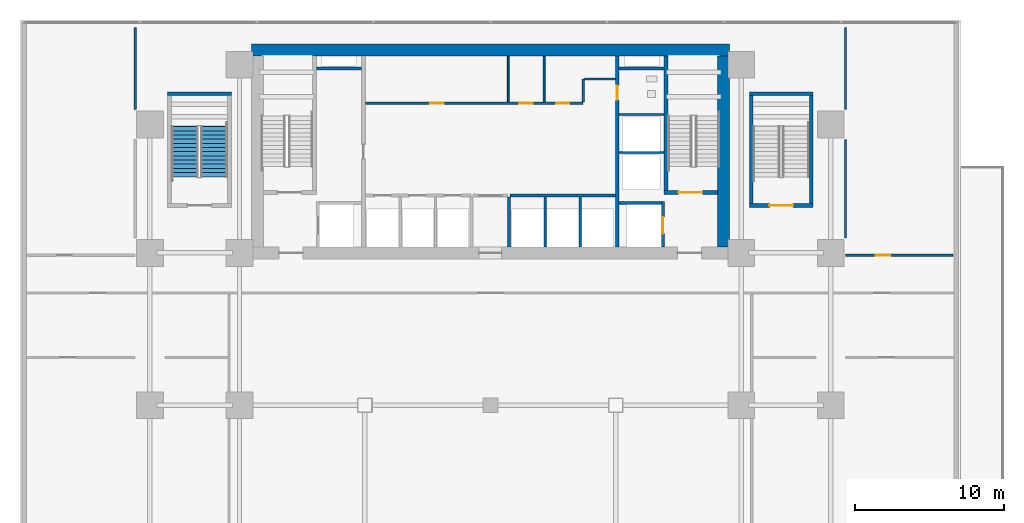
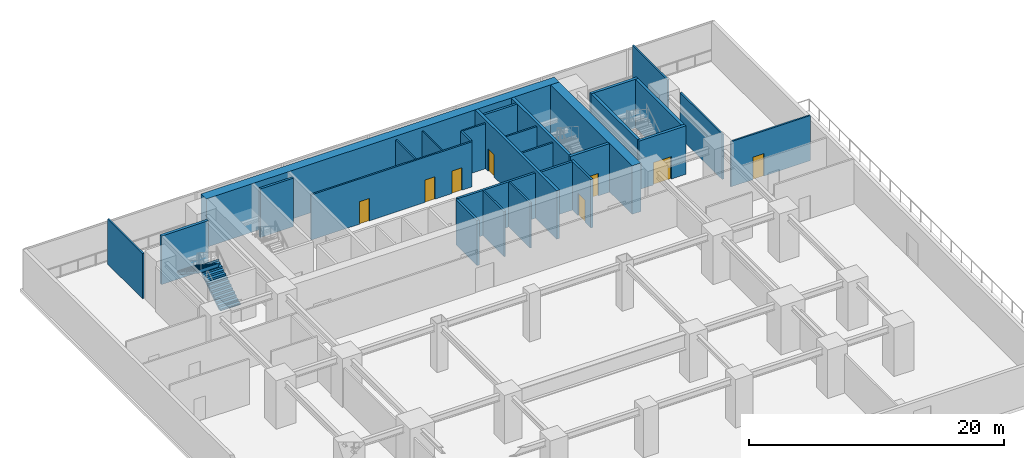
# One storey, part 9 of 15: 29 walls, 8 doors, 2 stair flights, 8 openings, 1 element without a shape of its own.
"""IFC4 building model written with IfcOpenShell, lengths in metres."""

from ifc_helpers import new_model, si_unit, direction, frame, frame_2d, origin, place, context, subcontext, project, spatial, polyline, rectangle, outline, extrude, source, transform, mapped, material, layer, layer_set, type_object, element, fill, aggregate, save


model = new_model("IFC4")

# Units and contexts
model_context = context("Model", 3, precision=1e-05, world=origin(), true_north=direction((0.0, 1.0)))
body_context = subcontext(model_context, "Body", "Model", "MODEL_VIEW")
ifc_project = project(units=[si_unit("LENGTHUNIT", "METRE"), si_unit("AREAUNIT", "SQUARE_METRE"), si_unit("VOLUMEUNIT", "CUBIC_METRE"), si_unit("PLANEANGLEUNIT", "RADIAN"), si_unit("MASSUNIT", "GRAM", prefix="KILO")], contexts=[model_context])

# Site, building, storey
site_placement = place(None, origin())
site = spatial("IfcSite", under=ifc_project, at=site_placement, CompositionType="ELEMENT")
building_placement = place(site_placement, origin())
building = spatial("IfcBuilding", under=site, at=building_placement, Name="Sumidabori Civic Tower", CompositionType="ELEMENT")
storey_placement = place(building_placement, frame((0.0, 0.0, 14.300048828125)))
storey = spatial("IfcBuildingStorey", under=building, at=storey_placement, Name="L03", CompositionType="ELEMENT", Elevation=14.300048828125)

# Walls
ifc_material_1 = material(Name="Concrete C60/75", Category="concrete")
ifc_layer_1 = layer(ifc_material_1, 0.800048828125, Name="Concrete C60/75")
ifc_layer_set_1 = layer_set([ifc_layer_1], Name="Concrete C60/75")
wall_type_1 = type_object("IfcWallType", Name="WL-CORE-800", PredefinedType="SHEAR", material=ifc_layer_set_1)
shared_shape_1 = source(origin(), body_context, "Body", "SweptSolid", [
    extrude(rectangle(XDim=32.0, YDim=0.800048828125, at=frame_2d((16.0, 0.0))), origin(), (0.0, 0.0, 1.0), 4.64990234375),
])
wall_1_placement = place(storey_placement, frame((-16.0, 23.800048828125, 0.0), z_axis=(0.0, 0.0, 1.0), x_axis=(1.0, 0.0, 0.0)))
element("IfcWall", 1, at=wall_1_placement, inside=storey, type_object=wall_type_1, Name="Core Shear Wall L03 N", PredefinedType="SHEAR", context=body_context, shape_type="MappedRepresentation", body=[
    mapped(shared_shape_1, transform((0.0, 0.0, 0.0), x_axis=(1.0, 0.0, 0.0), y_axis=(0.0, 1.0, 0.0), z_axis=(0.0, 0.0, 1.0), scale=1.0)),
])
shared_shape_2 = source(origin(), body_context, "Body", "SweptSolid", [
    extrude(rectangle(XDim=12.7998046875, YDim=0.800048828125, at=frame_2d((6.39990234375, 0.0))), origin(), (0.0, 0.0, 1.0), 4.64990234375),
])
wall_2_placement = place(storey_placement, frame((15.60009765625, 10.60009765625, 0.0), z_axis=(0.0, 0.0, 1.0), x_axis=(0.0, 1.0, 0.0)))
element("IfcWall", 2, at=wall_2_placement, inside=storey, type_object=wall_type_1, Name="Core Shear Wall L03 E", PredefinedType="SHEAR", context=body_context, shape_type="MappedRepresentation", body=[
    mapped(shared_shape_2, transform((0.0, 0.0, 0.0), x_axis=(1.0, 0.0, 0.0), y_axis=(0.0, 1.0, 0.0), z_axis=(0.0, 0.0, 1.0), scale=1.0)),
])

# Wall, opening, door
ifc_material_2 = material(Name="Concrete C50/60", Category="concrete")
ifc_layer_2 = layer(ifc_material_2, 0.25, Name="Concrete C50/60")
ifc_layer_set_2 = layer_set([ifc_layer_2], Name="Concrete C50/60")
wall_type_2 = type_object("IfcWallType", Name="WL-SHAFT-250", PredefinedType="SHEAR", material=ifc_layer_set_2)
shared_shape_3 = source(origin(), body_context, "Body", "SweptSolid", [
    extrude(rectangle(XDim=12.7998046875, YDim=0.25, at=frame_2d((6.39990234375, 0.0))), origin(), (0.0, 0.0, 1.0), 4.64990234375),
])
wall_3_placement = place(storey_placement, frame((8.5, 10.60009765625, 0.0), z_axis=(0.0, 0.0, 1.0), x_axis=(0.0, 1.0, 0.0)))
wall_3 = element("IfcWall", 3, at=wall_3_placement, inside=storey, type_object=wall_type_2, Name="Core Shear Wall L03 WEB-E", PredefinedType="SHEAR", context=body_context, shape_type="MappedRepresentation", body=[
    mapped(shared_shape_3, transform((0.0, 0.0, 0.0), x_axis=(1.0, 0.0, 0.0), y_axis=(0.0, 1.0, 0.0), z_axis=(0.0, 0.0, 1.0), scale=1.0)),
])
opening_1_placement = place(wall_3_placement, frame((9.85009765625, 0.0, 0.0)))
opening_1 = element("IfcOpeningElement", 4, at=opening_1_placement, cuts=wall_3, Name="Opening DR-2", PredefinedType="OPENING", context=body_context, shape_type="SweptSolid", body=[
    extrude(rectangle(XDim=0.949951171875, YDim=2.14990234375, at=frame_2d((0.47509765625, 1.074951171875))), frame((0.0, 0.136962890625, 0.0), z_axis=(0.0, -1.0, 0.0), x_axis=(1.0, 0.0, 0.0)), (0.0, 0.0, 1.0), 0.27392578125),
])
ifc_material_3 = material(Name="Japanese Hinoki Timber", Category="wood")
door_type_1 = type_object("IfcDoorType", Name="DR-INT-950", OperationType="NOTDEFINED", PredefinedType="DOOR", material=ifc_material_3)
shared_shape_4 = source(origin(), body_context, "Body", "SweptSolid", [
    extrude(rectangle(XDim=0.949951171875, YDim=2.14990234375, at=frame_2d((0.47509765625, 1.074951171875))), frame((0.0, 0.02490234375, 0.0), z_axis=(0.0, -1.0, 0.0), x_axis=(1.0, 0.0, 0.0)), (0.0, 0.0, 1.0), 0.050048828125),
])
door_1_placement = place(opening_1_placement, origin())
door_1 = element("IfcDoor", 5, at=door_1_placement, inside=storey, type_object=door_type_1, Name="Door DR:L03:WC-ACC", OperationType="SINGLE_SWING_RIGHT", OverallHeight=2.14990234375, OverallWidth=0.949951171875, PredefinedType="DOOR", context=body_context, shape_type="MappedRepresentation", body=[
    mapped(shared_shape_4, transform((0.0, 0.0, 0.0), x_axis=(1.0, 0.0, 0.0), y_axis=(0.0, 1.0, 0.0), z_axis=(0.0, 0.0, 1.0), scale=1.0)),
])
fill(opening_1, door_1)

shared_shape_5 = source(origin(), body_context, "Body", "SweptSolid", [
    extrude(rectangle(XDim=3.554931640625, YDim=0.25, at=frame_2d((1.77734375, 0.0))), origin(), (0.0, 0.0, 1.0), 4.64990234375),
])
wall_4_placement = place(storey_placement, frame((11.64501953125, 14.25, 0.0), z_axis=(0.0, 0.0, 1.0), x_axis=(1.0, 0.0, 0.0)))
wall_4 = element("IfcWall", 6, at=wall_4_placement, inside=storey, type_object=wall_type_2, Name="Core Shear Wall L03 ST2-S", PredefinedType="SHEAR", context=body_context, shape_type="MappedRepresentation", body=[
    mapped(shared_shape_5, transform((0.0, 0.0, 0.0), x_axis=(1.0, 0.0, 0.0), y_axis=(0.0, 1.0, 0.0), z_axis=(0.0, 0.0, 1.0), scale=1.0)),
])
opening_2_placement = place(wall_4_placement, frame((0.949951171875, 0.0, 0.0)))
opening_2 = element("IfcOpeningElement", 7, at=opening_2_placement, cuts=wall_4, Name="Opening DR-FD4", PredefinedType="OPENING", context=body_context, shape_type="SweptSolid", body=[
    extrude(rectangle(XDim=1.60009765625, YDim=2.14990234375, at=frame_2d((0.800048828125, 1.074951171875))), frame((0.0, 0.136962890625, 0.0), z_axis=(0.0, -1.0, 0.0), x_axis=(1.0, 0.0, 0.0)), (0.0, 0.0, 1.0), 0.27392578125),
])
ifc_material_4 = material(Name="Steel SN490", Category="steel")
door_type_2 = type_object("IfcDoorType", Name="DR-FD4", OperationType="DOUBLE_DOOR_SINGLE_SWING", PredefinedType="DOOR", material=ifc_material_4)
shared_shape_6 = source(origin(), body_context, "Body", "SweptSolid", [
    extrude(rectangle(XDim=1.60009765625, YDim=2.14990234375, at=frame_2d((0.800048828125, 1.074951171875))), frame((0.0, 0.02490234375, 0.0), z_axis=(0.0, -1.0, 0.0), x_axis=(1.0, 0.0, 0.0)), (0.0, 0.0, 1.0), 0.050048828125),
])
door_2_placement = place(opening_2_placement, origin())
door_2 = element("IfcDoor", 8, at=door_2_placement, inside=storey, type_object=door_type_2, Name="Door DR:L03:ST2", OperationType="DOUBLE_DOOR_SINGLE_SWING", OverallHeight=2.14990234375, OverallWidth=1.60009765625, PredefinedType="DOOR", context=body_context, shape_type="MappedRepresentation", body=[
    mapped(shared_shape_6, transform((0.0, 0.0, 0.0), x_axis=(1.0, 0.0, 0.0), y_axis=(0.0, 1.0, 0.0), z_axis=(0.0, 0.0, 1.0), scale=1.0)),
])
fill(opening_2, door_2)

# Wall
shared_shape_7 = source(origin(), body_context, "Body", "SweptSolid", [
    extrude(rectangle(XDim=9.02490234375, YDim=0.25, at=frame_2d((4.512451171875, 0.0))), origin(), (0.0, 0.0, 1.0), 4.64990234375),
])
wall_5_placement = place(storey_placement, frame((11.77001953125, 14.375, 0.0), z_axis=(0.0, 0.0, 1.0), x_axis=(0.0, 1.0, 0.0)))
element("IfcWall", 9, at=wall_5_placement, inside=storey, type_object=wall_type_2, Name="Core Shear Wall L03 ST2-W", PredefinedType="SHEAR", context=body_context, shape_type="MappedRepresentation", body=[
    mapped(shared_shape_7, transform((0.0, 0.0, 0.0), x_axis=(1.0, 0.0, 0.0), y_axis=(0.0, 1.0, 0.0), z_axis=(0.0, 0.0, 1.0), scale=1.0)),
])

# Wall, opening, door
ifc_layer_3 = layer(ifc_material_2, 0.199951171875, Name="Concrete C50/60")
ifc_layer_set_3 = layer_set([ifc_layer_3], Name="Concrete C50/60")
wall_type_3 = type_object("IfcWallType", Name="WL-SHAFT-200", PredefinedType="SHEAR", material=ifc_layer_set_3)
shared_shape_8 = source(origin(), body_context, "Body", "SweptSolid", [
    extrude(rectangle(XDim=3.0498046875, YDim=0.199951171875, at=frame_2d((1.52490234375, 0.0))), origin(), (0.0, 0.0, 1.0), 4.64990234375),
])
wall_6_placement = place(storey_placement, frame((11.550048828125, 10.60009765625, 0.0), z_axis=(0.0, 0.0, 1.0), x_axis=(0.0, 1.0, 0.0)))
wall_6 = element("IfcWall", 10, at=wall_6_placement, inside=storey, type_object=wall_type_3, Name="Core Shear Wall L03 EL2-E", PredefinedType="SHEAR", context=body_context, shape_type="MappedRepresentation", body=[
    mapped(shared_shape_8, transform((0.0, 0.0, 0.0), x_axis=(1.0, 0.0, 0.0), y_axis=(0.0, 1.0, 0.0), z_axis=(0.0, 0.0, 1.0), scale=1.0)),
])
opening_3_placement = place(wall_6_placement, frame((0.89990234375, 0.0, 0.0)))
opening_3 = element("IfcOpeningElement", 11, at=opening_3_placement, cuts=wall_6, Name="Opening LD-2", PredefinedType="OPENING", context=body_context, shape_type="SweptSolid", body=[
    extrude(rectangle(XDim=1.10009765625, YDim=2.14990234375, at=frame_2d((0.550048828125, 1.074951171875))), frame((0.0, 0.11181640625, 0.0), z_axis=(0.0, -1.0, 0.0), x_axis=(1.0, 0.0, 0.0)), (0.0, 0.0, 1.0), 0.223876953125),
])
ifc_material_5 = material(Name="Stainless Steel Hairline Finish", Category="steel")
door_type_3 = type_object("IfcDoorType", Name="DR-LD2", OperationType="DOUBLE_DOOR_SLIDING", PredefinedType="DOOR", material=ifc_material_5)
shared_shape_9 = source(origin(), body_context, "Body", "SweptSolid", [
    extrude(rectangle(XDim=1.10009765625, YDim=2.14990234375, at=frame_2d((0.550048828125, 1.074951171875))), frame((0.0, 0.02490234375, 0.0), z_axis=(0.0, -1.0, 0.0), x_axis=(1.0, 0.0, 0.0)), (0.0, 0.0, 1.0), 0.050048828125),
])
door_3_placement = place(opening_3_placement, origin())
door_3 = element("IfcDoor", 12, at=door_3_placement, inside=storey, type_object=door_type_3, Name="Door DR:L03:LD-EL2", OperationType="DOUBLE_DOOR_SLIDING", OverallHeight=2.14990234375, OverallWidth=1.10009765625, PredefinedType="DOOR", context=body_context, shape_type="MappedRepresentation", body=[
    mapped(shared_shape_9, transform((0.0, 0.0, 0.0), x_axis=(1.0, 0.0, 0.0), y_axis=(0.0, 1.0, 0.0), z_axis=(0.0, 0.0, 1.0), scale=1.0)),
])
fill(opening_3, door_3)

# Walls
shared_shape_10 = source(origin(), body_context, "Body", "SweptSolid", [
    extrude(rectangle(XDim=2.824951171875, YDim=0.199951171875, at=frame_2d((1.41259765625, 0.0))), origin(), (0.0, 0.0, 1.0), 4.64990234375),
])
wall_7_placement = place(storey_placement, frame((8.625, 13.550048828125, 0.0), z_axis=(0.0, 0.0, 1.0), x_axis=(1.0, 0.0, 0.0)))
element("IfcWall", 13, at=wall_7_placement, inside=storey, type_object=wall_type_3, Name="Core Shear Wall L03 EL2-N", PredefinedType="SHEAR", context=body_context, shape_type="MappedRepresentation", body=[
    mapped(shared_shape_10, transform((0.0, 0.0, 0.0), x_axis=(1.0, 0.0, 0.0), y_axis=(0.0, 1.0, 0.0), z_axis=(0.0, 0.0, 1.0), scale=1.0)),
])
shared_shape_11 = source(origin(), body_context, "Body", "SweptSolid", [
    extrude(rectangle(XDim=3.02001953125, YDim=0.199951171875, at=frame_2d((1.510009765625, 0.0))), origin(), (0.0, 0.0, 1.0), 4.64990234375),
])
for number, where, z_axis, x_axis, name in (
    (14, (-11.64501953125, 22.550048828125, 0.0), (0.0, 0.0, 1.0), (1.0, 0.0, 0.0), "Core Shear Wall L03 RIS1-S"),
    (15, (8.625, 22.550048828125, 0.0), (0.0, 0.0, 1.0), (1.0, 0.0, 0.0), "Core Shear Wall L03 RIS2-S"),
):
    element("IfcWall", number, at=place(storey_placement, frame(where, z_axis=z_axis, x_axis=x_axis)), inside=storey, type_object=wall_type_3, Name=name, PredefinedType="SHEAR", context=body_context, shape_type="MappedRepresentation", body=[
        mapped(shared_shape_11, transform((0.0, 0.0, 0.0), x_axis=(1.0, 0.0, 0.0), y_axis=(0.0, 1.0, 0.0), z_axis=(0.0, 0.0, 1.0), scale=1.0)),
    ])
shared_shape_12 = source(origin(), body_context, "Body", "SweptSolid", [
    extrude(rectangle(XDim=4.260009765625, YDim=0.25, at=frame_2d((2.1298828125, 0.0))), origin(), (0.0, 0.0, 1.0), 4.64990234375),
])
for number, where, z_axis, x_axis, name in (
    (16, (-21.610107421875, 20.864990234375, 0.0), (0.0, 0.0, 1.0), (1.0, 0.0, 0.0), "Core Shear Wall L03 ST3-N"),
    (17, (17.35009765625, 20.864990234375, 0.0), (0.0, 0.0, 1.0), (1.0, 0.0, 0.0), "Core Shear Wall L03 ST4-N"),
):
    element("IfcWall", number, at=place(storey_placement, frame(where, z_axis=z_axis, x_axis=x_axis)), inside=storey, type_object=wall_type_2, Name=name, PredefinedType="SHEAR", context=body_context, shape_type="MappedRepresentation", body=[
        mapped(shared_shape_12, transform((0.0, 0.0, 0.0), x_axis=(1.0, 0.0, 0.0), y_axis=(0.0, 1.0, 0.0), z_axis=(0.0, 0.0, 1.0), scale=1.0)),
    ])

# Wall, opening, door
wall_8_placement = place(storey_placement, frame((17.35009765625, 13.375, 0.0), z_axis=(0.0, 0.0, 1.0), x_axis=(1.0, 0.0, 0.0)))
wall_8 = element("IfcWall", 18, at=wall_8_placement, inside=storey, type_object=wall_type_2, Name="Core Shear Wall L03 ST4-S", PredefinedType="SHEAR", context=body_context, shape_type="MappedRepresentation", body=[
    mapped(shared_shape_12, transform((0.0, 0.0, 0.0), x_axis=(1.0, 0.0, 0.0), y_axis=(0.0, 1.0, 0.0), z_axis=(0.0, 0.0, 1.0), scale=1.0)),
])
opening_4_placement = place(wall_8_placement, frame((1.330078125, 0.0, 0.0)))
opening_4 = element("IfcOpeningElement", 19, at=opening_4_placement, cuts=wall_8, Name="Opening DR-FD4", PredefinedType="OPENING", context=body_context, shape_type="SweptSolid", body=[
    extrude(rectangle(XDim=1.60009765625, YDim=2.14990234375, at=frame_2d((0.800048828125, 1.074951171875))), frame((0.0, 0.136962890625, 0.0), z_axis=(0.0, -1.0, 0.0), x_axis=(1.0, 0.0, 0.0)), (0.0, 0.0, 1.0), 0.27392578125),
])
door_4_placement = place(opening_4_placement, origin())
door_4 = element("IfcDoor", 20, at=door_4_placement, inside=storey, type_object=door_type_2, Name="Door DR:L03:ST4", OperationType="DOUBLE_DOOR_SINGLE_SWING", OverallHeight=2.14990234375, OverallWidth=1.60009765625, PredefinedType="DOOR", context=body_context, shape_type="MappedRepresentation", body=[
    mapped(shared_shape_6, transform((0.0, 0.0, 0.0), x_axis=(1.0, 0.0, 0.0), y_axis=(0.0, 1.0, 0.0), z_axis=(0.0, 0.0, 1.0), scale=1.0)),
])
fill(opening_4, door_4)

# Walls
shared_shape_13 = source(origin(), body_context, "Body", "SweptSolid", [
    extrude(rectangle(XDim=7.230224609375, YDim=0.25, at=frame_2d((3.615234375, 0.0))), origin(), (0.0, 0.0, 1.0), 4.64990234375),
])
for number, where, z_axis, x_axis, name in (
    (21, (17.47509765625, 13.5048828125, 0.0), (0.0, 0.0, 1.0), (0.0, 1.0, 0.0), "Core Shear Wall L03 ST4-W"),
    (22, (21.485107421875, 13.5048828125, 0.0), (0.0, 0.0, 1.0), (0.0, 1.0, 0.0), "Core Shear Wall L03 ST4-E"),
):
    element("IfcWall", number, at=place(storey_placement, frame(where, z_axis=z_axis, x_axis=x_axis)), inside=storey, type_object=wall_type_2, Name=name, PredefinedType="SHEAR", context=body_context, shape_type="MappedRepresentation", body=[
        mapped(shared_shape_13, transform((0.0, 0.0, 0.0), x_axis=(1.0, 0.0, 0.0), y_axis=(0.0, 1.0, 0.0), z_axis=(0.0, 0.0, 1.0), scale=1.0)),
    ])
ifc_material_6 = material(Name="Gypsum Plasterboard Acoustic Partition")
ifc_layer_4 = layer(ifc_material_6, 0.14990234375, Name="Gypsum Plasterboard Acoustic Partition")
ifc_layer_set_4 = layer_set([ifc_layer_4], Name="Gypsum Plasterboard Acoustic Partition")
wall_type_4 = type_object("IfcWallType", Name="WL-PART-150", PredefinedType="PARTITIONING", material=ifc_layer_set_4)
shared_shape_14 = source(origin(), body_context, "Body", "SweptSolid", [
    extrude(rectangle(XDim=3.010009765625, YDim=0.14990234375, at=frame_2d((1.5048828125, 0.0))), origin(), (0.0, 0.0, 1.0), 4.329833984375),
])
for number, where, z_axis, x_axis, name in (
    (23, (8.6298828125, 16.919921875, 0.0), (0.0, 0.0, 1.0), (1.0, 0.0, 0.0), "Interior Partition WL:L03:DIV-OBS1"),
    (24, (8.6298828125, 19.469970703125, 0.0), (0.0, 0.0, 1.0), (1.0, 0.0, 0.0), "Interior Partition WL:L03:DIV-OBS2"),
):
    element("IfcWall", number, at=place(storey_placement, frame(where, z_axis=z_axis, x_axis=x_axis)), inside=storey, type_object=wall_type_4, Name=name, PredefinedType="PARTITIONING", context=body_context, shape_type="MappedRepresentation", body=[
        mapped(shared_shape_14, transform((0.0, 0.0, 0.0), x_axis=(1.0, 0.0, 0.0), y_axis=(0.0, 1.0, 0.0), z_axis=(0.0, 0.0, 1.0), scale=1.0)),
    ])
ifc_material_7 = material(Name="Gypsum Plasterboard Fire Partition")
ifc_layer_5 = layer(ifc_material_7, 0.199951171875, Name="Gypsum Plasterboard Fire Partition")
ifc_layer_set_5 = layer_set([ifc_layer_5], Name="Gypsum Plasterboard Fire Partition")
wall_type_5 = type_object("IfcWallType", Name="WL-PART-FIRE", PredefinedType="PARTITIONING", material=ifc_layer_set_5)
shared_shape_15 = source(origin(), body_context, "Body", "SweptSolid", [
    extrude(rectangle(XDim=7.070068359375, YDim=0.199951171875, at=frame_2d((3.53515625, 0.0))), origin(), (0.0, 0.0, 1.0), 4.329833984375),
])
wall_9_placement = place(storey_placement, frame((1.300048828125, 14.050048828125, 0.0), z_axis=(0.0, 0.0, 1.0), x_axis=(1.0, 0.0, 0.0)))
element("IfcWall", 25, at=wall_9_placement, inside=storey, type_object=wall_type_5, Name="Interior Partition WL:L03:CBAND-SE", PredefinedType="PARTITIONING", context=body_context, shape_type="MappedRepresentation", body=[
    mapped(shared_shape_15, transform((0.0, 0.0, 0.0), x_axis=(1.0, 0.0, 0.0), y_axis=(0.0, 1.0, 0.0), z_axis=(0.0, 0.0, 1.0), scale=1.0)),
])
shared_shape_16 = source(origin(), body_context, "Body", "SweptSolid", [
    extrude(rectangle(XDim=3.33984375, YDim=0.199951171875, at=frame_2d((1.669921875, 0.0))), origin(), (0.0, 0.0, 1.0), 4.329833984375),
])
wall_10_placement = place(storey_placement, frame((1.25, 10.60009765625, 0.0), z_axis=(0.0, 0.0, 1.0), x_axis=(0.0, 1.0, 0.0)))
element("IfcWall", 26, at=wall_10_placement, inside=storey, type_object=wall_type_5, Name="Interior Partition WL:L03:THROAT-E", PredefinedType="PARTITIONING", context=body_context, shape_type="MappedRepresentation", body=[
    mapped(shared_shape_16, transform((0.0, 0.0, 0.0), x_axis=(1.0, 0.0, 0.0), y_axis=(0.0, 1.0, 0.0), z_axis=(0.0, 0.0, 1.0), scale=1.0)),
])

# Wall, openings, doors
shared_shape_17 = source(origin(), body_context, "Body", "SweptSolid", [
    extrude(rectangle(XDim=14.590087890625, YDim=0.14990234375, at=frame_2d((7.294921875, 0.0))), origin(), (0.0, 0.0, 1.0), 4.329833984375),
])
wall_11_placement = place(storey_placement, frame((-8.3701171875, 20.219970703125, 0.0), z_axis=(0.0, 0.0, 1.0), x_axis=(1.0, 0.0, 0.0)))
wall_11 = element("IfcWall", 27, at=wall_11_placement, inside=storey, type_object=wall_type_4, Name="Interior Partition WL:L03:CBAND-M", PredefinedType="PARTITIONING", context=body_context, shape_type="MappedRepresentation", body=[
    mapped(shared_shape_17, transform((0.0, 0.0, 0.0), x_axis=(1.0, 0.0, 0.0), y_axis=(0.0, 1.0, 0.0), z_axis=(0.0, 0.0, 1.0), scale=1.0)),
])
opening_5_placement = place(wall_11_placement, frame((4.360107421875, 0.0, 0.0)))
opening_5 = element("IfcOpeningElement", 28, at=opening_5_placement, cuts=wall_11, Name="Opening DR-1", PredefinedType="OPENING", context=body_context, shape_type="SweptSolid", body=[
    extrude(rectangle(XDim=0.89990234375, YDim=2.14990234375, at=frame_2d((0.449951171875, 1.074951171875))), frame((0.0, 0.0869140625, 0.0), z_axis=(0.0, -1.0, 0.0), x_axis=(1.0, 0.0, 0.0)), (0.0, 0.0, 1.0), 0.173828125),
])
opening_6_placement = place(wall_11_placement, frame((10.320068359375, 0.0, 0.0)))
opening_6 = element("IfcOpeningElement", 29, at=opening_6_placement, cuts=wall_11, Name="Opening DR-1", PredefinedType="OPENING", context=body_context, shape_type="SweptSolid", body=[
    extrude(rectangle(XDim=0.89990234375, YDim=2.14990234375, at=frame_2d((0.449951171875, 1.074951171875))), frame((0.0, 0.0869140625, 0.0), z_axis=(0.0, -1.0, 0.0), x_axis=(1.0, 0.0, 0.0)), (0.0, 0.0, 1.0), 0.173828125),
])
opening_7_placement = place(wall_11_placement, frame((12.77001953125, 0.0, 0.0)))
opening_7 = element("IfcOpeningElement", 30, at=opening_7_placement, cuts=wall_11, Name="Opening DR-1", PredefinedType="OPENING", context=body_context, shape_type="SweptSolid", body=[
    extrude(rectangle(XDim=0.89990234375, YDim=2.14990234375, at=frame_2d((0.449951171875, 1.074951171875))), frame((0.0, 0.0869140625, 0.0), z_axis=(0.0, -1.0, 0.0), x_axis=(1.0, 0.0, 0.0)), (0.0, 0.0, 1.0), 0.173828125),
])
door_type_4 = type_object("IfcDoorType", Name="DR-INT-900", OperationType="NOTDEFINED", PredefinedType="DOOR", material=ifc_material_3)
shared_shape_18 = source(origin(), body_context, "Body", "SweptSolid", [
    extrude(rectangle(XDim=0.89990234375, YDim=2.14990234375, at=frame_2d((0.449951171875, 1.074951171875))), frame((0.0, 0.02490234375, 0.0), z_axis=(0.0, -1.0, 0.0), x_axis=(1.0, 0.0, 0.0)), (0.0, 0.0, 1.0), 0.050048828125),
])
door_5_placement = place(opening_5_placement, origin())
door_5 = element("IfcDoor", 31, at=door_5_placement, inside=storey, type_object=door_type_4, Name="Door DR:L03:CB-1", OperationType="SINGLE_SWING_LEFT", OverallHeight=2.14990234375, OverallWidth=0.89990234375, PredefinedType="DOOR", context=body_context, shape_type="MappedRepresentation", body=[
    mapped(shared_shape_18, transform((0.0, 0.0, 0.0), x_axis=(1.0, 0.0, 0.0), y_axis=(0.0, 1.0, 0.0), z_axis=(0.0, 0.0, 1.0), scale=1.0)),
])
fill(opening_5, door_5)
door_6_placement = place(opening_6_placement, origin())
door_6 = element("IfcDoor", 32, at=door_6_placement, inside=storey, type_object=door_type_4, Name="Door DR:L03:CB-2", OperationType="SINGLE_SWING_RIGHT", OverallHeight=2.14990234375, OverallWidth=0.89990234375, PredefinedType="DOOR", context=body_context, shape_type="MappedRepresentation", body=[
    mapped(shared_shape_18, transform((0.0, 0.0, 0.0), x_axis=(1.0, 0.0, 0.0), y_axis=(0.0, 1.0, 0.0), z_axis=(0.0, 0.0, 1.0), scale=1.0)),
])
fill(opening_6, door_6)
door_7_placement = place(opening_7_placement, origin())
door_7 = element("IfcDoor", 33, at=door_7_placement, inside=storey, type_object=door_type_4, Name="Door DR:L03:CB-3", OperationType="SINGLE_SWING_LEFT", OverallHeight=2.14990234375, OverallWidth=0.89990234375, PredefinedType="DOOR", context=body_context, shape_type="MappedRepresentation", body=[
    mapped(shared_shape_18, transform((0.0, 0.0, 0.0), x_axis=(1.0, 0.0, 0.0), y_axis=(0.0, 1.0, 0.0), z_axis=(0.0, 0.0, 1.0), scale=1.0)),
])
fill(opening_7, door_7)

# Walls
shared_shape_19 = source(origin(), body_context, "Body", "SweptSolid", [
    extrude(rectangle(XDim=1.550048828125, YDim=0.14990234375, at=frame_2d((0.77490234375, 0.0))), origin(), (0.0, 0.0, 1.0), 4.329833984375),
])
wall_12_placement = place(storey_placement, frame((6.219970703125, 20.300048828125, 0.0), z_axis=(0.0, 0.0, 1.0), x_axis=(0.0, 1.0, 0.0)))
element("IfcWall", 34, at=wall_12_placement, inside=storey, type_object=wall_type_4, Name="Interior Partition WL:L03:CBAND-ME1", PredefinedType="PARTITIONING", context=body_context, shape_type="MappedRepresentation", body=[
    mapped(shared_shape_19, transform((0.0, 0.0, 0.0), x_axis=(1.0, 0.0, 0.0), y_axis=(0.0, 1.0, 0.0), z_axis=(0.0, 0.0, 1.0), scale=1.0)),
])
shared_shape_20 = source(origin(), body_context, "Body", "SweptSolid", [
    extrude(rectangle(XDim=2.070068359375, YDim=0.14990234375, at=frame_2d((1.03515625, 0.0))), origin(), (0.0, 0.0, 1.0), 4.329833984375),
])
wall_13_placement = place(storey_placement, frame((6.300048828125, 21.85009765625, 0.0), z_axis=(0.0, 0.0, 1.0), x_axis=(1.0, 0.0, 0.0)))
element("IfcWall", 35, at=wall_13_placement, inside=storey, type_object=wall_type_4, Name="Interior Partition WL:L03:CBAND-ME2", PredefinedType="PARTITIONING", context=body_context, shape_type="MappedRepresentation", body=[
    mapped(shared_shape_20, transform((0.0, 0.0, 0.0), x_axis=(1.0, 0.0, 0.0), y_axis=(0.0, 1.0, 0.0), z_axis=(0.0, 0.0, 1.0), scale=1.0)),
])
shared_shape_21 = source(origin(), body_context, "Body", "SweptSolid", [
    extrude(rectangle(XDim=3.33984375, YDim=0.14990234375, at=frame_2d((1.669921875, 0.0))), origin(), (0.0, 0.0, 1.0), 4.329833984375),
])
for number, where, z_axis, x_axis, name in (
    (36, (3.669921875, 10.60009765625, 0.0), (0.0, 0.0, 1.0), (0.0, 1.0, 0.0), "Interior Partition WL:L03:DIV-PLM1"),
    (37, (6.02001953125, 10.60009765625, 0.0), (0.0, 0.0, 1.0), (0.0, 1.0, 0.0), "Interior Partition WL:L03:DIV-PLM2"),
):
    element("IfcWall", number, at=place(storey_placement, frame(where, z_axis=z_axis, x_axis=x_axis)), inside=storey, type_object=wall_type_4, Name=name, PredefinedType="PARTITIONING", context=body_context, shape_type="MappedRepresentation", body=[
        mapped(shared_shape_21, transform((0.0, 0.0, 0.0), x_axis=(1.0, 0.0, 0.0), y_axis=(0.0, 1.0, 0.0), z_axis=(0.0, 0.0, 1.0), scale=1.0)),
    ])
ifc_layer_6 = layer(ifc_material_6, 0.1201171875, Name="Gypsum Plasterboard Acoustic Partition")
ifc_layer_set_6 = layer_set([ifc_layer_6], Name="Gypsum Plasterboard Acoustic Partition")
wall_type_6 = type_object("IfcWallType", Name="WL-PART-120", PredefinedType="PARTITIONING", material=ifc_layer_set_6)
shared_shape_22 = source(origin(), body_context, "Body", "SweptSolid", [
    extrude(rectangle(XDim=3.0400390625, YDim=0.1201171875, at=frame_2d((1.52001953125, 0.0))), origin(), (0.0, 0.0, 1.0), 4.329833984375),
])
for number, where, z_axis, x_axis, name in (
    (38, (1.199951171875, 20.320068359375, 0.0), (0.0, 0.0, 1.0), (0.0, 1.0, 0.0), "Interior Partition WL:L03:LV8-S1"),
    (39, (3.60009765625, 20.320068359375, 0.0), (0.0, 0.0, 1.0), (0.0, 1.0, 0.0), "Interior Partition WL:L03:LV8-S2"),
):
    element("IfcWall", number, at=place(storey_placement, frame(where, z_axis=z_axis, x_axis=x_axis)), inside=storey, type_object=wall_type_6, Name=name, PredefinedType="PARTITIONING", context=body_context, shape_type="MappedRepresentation", body=[
        mapped(shared_shape_22, transform((0.0, 0.0, 0.0), x_axis=(1.0, 0.0, 0.0), y_axis=(0.0, 1.0, 0.0), z_axis=(0.0, 0.0, 1.0), scale=1.0)),
    ])

# Wall, opening, door
shared_shape_23 = source(origin(), body_context, "Body", "SweptSolid", [
    extrude(rectangle(XDim=7.199951171875, YDim=0.14990234375, at=frame_2d((3.60009765625, 0.0))), origin(), (0.0, 0.0, 1.0), 4.329833984375),
])
wall_14_placement = place(storey_placement, frame((23.800048828125, 10.050048828125, 0.0), z_axis=(0.0, 0.0, 1.0), x_axis=(1.0, 0.0, 0.0)))
wall_14 = element("IfcWall", 40, at=wall_14_placement, inside=storey, type_object=wall_type_4, Name="Interior Partition WL:L03:CORR-NE", PredefinedType="PARTITIONING", context=body_context, shape_type="MappedRepresentation", body=[
    mapped(shared_shape_23, transform((0.0, 0.0, 0.0), x_axis=(1.0, 0.0, 0.0), y_axis=(0.0, 1.0, 0.0), z_axis=(0.0, 0.0, 1.0), scale=1.0)),
])
opening_8_placement = place(wall_14_placement, frame((2.0, 0.0, 0.0)))
opening_8 = element("IfcOpeningElement", 41, at=opening_8_placement, cuts=wall_14, Name="Opening DR-3", PredefinedType="OPENING", context=body_context, shape_type="SweptSolid", body=[
    extrude(rectangle(XDim=0.97998046875, YDim=2.14990234375, at=frame_2d((0.489990234375, 1.074951171875))), frame((0.0, 0.0869140625, 0.0), z_axis=(0.0, -1.0, 0.0), x_axis=(1.0, 0.0, 0.0)), (0.0, 0.0, 1.0), 0.173828125),
])
door_type_5 = type_object("IfcDoorType", Name="DR-INT-980", OperationType="NOTDEFINED", PredefinedType="DOOR", material=ifc_material_3)
shared_shape_24 = source(origin(), body_context, "Body", "SweptSolid", [
    extrude(rectangle(XDim=0.97998046875, YDim=2.14990234375, at=frame_2d((0.489990234375, 1.074951171875))), frame((0.0, 0.02490234375, 0.0), z_axis=(0.0, -1.0, 0.0), x_axis=(1.0, 0.0, 0.0)), (0.0, 0.0, 1.0), 0.050048828125),
])
door_8_placement = place(opening_8_placement, origin())
door_8 = element("IfcDoor", 42, at=door_8_placement, inside=storey, type_object=door_type_5, Name="Door DR:L03:PD-NE", OperationType="SINGLE_SWING_RIGHT", OverallHeight=2.14990234375, OverallWidth=0.97998046875, PredefinedType="DOOR", context=body_context, shape_type="MappedRepresentation", body=[
    mapped(shared_shape_24, transform((0.0, 0.0, 0.0), x_axis=(1.0, 0.0, 0.0), y_axis=(0.0, 1.0, 0.0), z_axis=(0.0, 0.0, 1.0), scale=1.0)),
])
fill(opening_8, door_8)

# Walls
shared_shape_25 = source(origin(), body_context, "Body", "SweptSolid", [
    extrude(rectangle(XDim=6.60009765625, YDim=0.14990234375, at=frame_2d((3.300048828125, 0.0))), origin(), (0.0, 0.0, 1.0), 4.329833984375),
])
wall_15_placement = place(storey_placement, frame((23.780029296875, 11.199951171875, 0.0), z_axis=(0.0, 0.0, 1.0), x_axis=(0.0, 1.0, 0.0)))
element("IfcWall", 43, at=wall_15_placement, inside=storey, type_object=wall_type_4, Name="Interior Partition WL:L03:NE-W1", PredefinedType="PARTITIONING", context=body_context, shape_type="MappedRepresentation", body=[
    mapped(shared_shape_25, transform((0.0, 0.0, 0.0), x_axis=(1.0, 0.0, 0.0), y_axis=(0.0, 1.0, 0.0), z_axis=(0.0, 0.0, 1.0), scale=1.0)),
])
shared_shape_26 = source(origin(), body_context, "Body", "SweptSolid", [
    extrude(rectangle(XDim=5.5, YDim=0.14990234375, at=frame_2d((2.75, 0.0))), origin(), (0.0, 0.0, 1.0), 4.329833984375),
])
for number, where, z_axis, x_axis, name in (
    (44, (-23.780029296875, 19.800048828125, 0.0), (0.0, 0.0, 1.0), (0.0, 1.0, 0.0), "Interior Partition WL:L03:NW-E2"),
    (45, (23.780029296875, 19.800048828125, 0.0), (0.0, 0.0, 1.0), (0.0, 1.0, 0.0), "Interior Partition WL:L03:NE-W2"),
):
    element("IfcWall", number, at=place(storey_placement, frame(where, z_axis=z_axis, x_axis=x_axis)), inside=storey, type_object=wall_type_4, Name=name, PredefinedType="PARTITIONING", context=body_context, shape_type="MappedRepresentation", body=[
        mapped(shared_shape_26, transform((0.0, 0.0, 0.0), x_axis=(1.0, 0.0, 0.0), y_axis=(0.0, 1.0, 0.0), z_axis=(0.0, 0.0, 1.0), scale=1.0)),
    ])

# Stair, stair flights
ifc_material_8 = material(Name="Concrete C40/50", Category="concrete")
stair_type = type_object("IfcStairType", Name="ST-POD-1800", PredefinedType="HALF_TURN_STAIR", material=ifc_material_8)
stair_placement = place(storey_placement, origin())
stair = element("IfcStair", 46, at=stair_placement, inside=storey, type_object=stair_type, Name="L03 ST-3", PredefinedType="HALF_TURN_STAIR")
stair_flight_type = type_object("IfcStairFlightType", Name="SF-POD-1800", PredefinedType="STRAIGHT", material=ifc_material_8)
shared_shape_27 = source(origin(), body_context, "Body", "SweptSolid", [
    extrude(outline(polyline([(-0.02490234375, 0.0), (-0.02490234375, 0.0400390625), (0.0, 0.0400390625), (0.0, 0.178955078125), (0.280029296875, 0.178955078125), (0.280029296875, 0.357666015625), (0.56005859375, 0.357666015625), (0.56005859375, 0.53662109375), (0.840087890625, 0.53662109375), (0.840087890625, 0.71533203125), (1.1201171875, 0.71533203125), (1.1201171875, 0.894287109375), (1.39990234375, 0.894287109375), (1.39990234375, 1.072998046875), (1.679931640625, 1.072998046875), (1.679931640625, 1.251953125), (1.9599609375, 1.251953125), (1.9599609375, 1.4306640625), (2.239990234375, 1.4306640625), (2.239990234375, 1.609619140625), (2.52001953125, 1.609619140625), (2.52001953125, 1.78857421875), (2.800048828125, 1.78857421875), (2.800048828125, 1.96728515625), (3.080078125, 1.96728515625), (3.080078125, 2.146240234375), (3.360107421875, 2.146240234375), (3.360107421875, 2.324951171875), (3.385009765625, 2.324951171875), (3.385009765625, 2.175048828125), (3.360107421875, 1.96826171875), (0.278564453125, 0.0), (-0.02490234375, 0.0)])), frame((0.0, 0.89990234375, 0.0), z_axis=(0.0, -1.0, 0.0), x_axis=(1.0, 0.0, 0.0)), (0.0, 0.0, 1.0), 1.800048828125),
])
stair_flight_1_placement = place(storey_placement, frame((-18.5, 15.300048828125, 0.0), z_axis=(0.0, 0.0, 1.0), x_axis=(0.0, 1.0, 0.0)))
stair_flight_1 = element("IfcStairFlight", 47, at=stair_flight_1_placement, type_object=stair_flight_type, Name="ST-3 flight 1", NumberOfRisers=13, NumberOfTreads=12, PredefinedType="STRAIGHT", RiserHeight=0.178846154, TreadLength=0.28, context=body_context, shape_type="MappedRepresentation", body=[
    mapped(shared_shape_27, transform((0.0, 0.0, 0.0), x_axis=(1.0, 0.0, 0.0), y_axis=(0.0, 1.0, 0.0), z_axis=(0.0, 0.0, 1.0), scale=1.0)),
])
stair_flight_2_placement = place(storey_placement, frame((-20.4599609375, 18.659912109375, 2.324951171875), z_axis=(0.0, 0.0, 1.0), x_axis=(0.0, -1.0, 0.0)))
stair_flight_2 = element("IfcStairFlight", 48, at=stair_flight_2_placement, type_object=stair_flight_type, Name="ST-3 flight 2", NumberOfRisers=13, NumberOfTreads=12, PredefinedType="STRAIGHT", RiserHeight=0.178846154, TreadLength=0.28, context=body_context, shape_type="MappedRepresentation", body=[
    mapped(shared_shape_27, transform((0.0, 0.0, 0.0), x_axis=(1.0, 0.0, 0.0), y_axis=(0.0, 1.0, 0.0), z_axis=(0.0, 0.0, 1.0), scale=1.0)),
])
aggregate(stair, [stair_flight_1, stair_flight_2])

save(model, "model.ifc")
